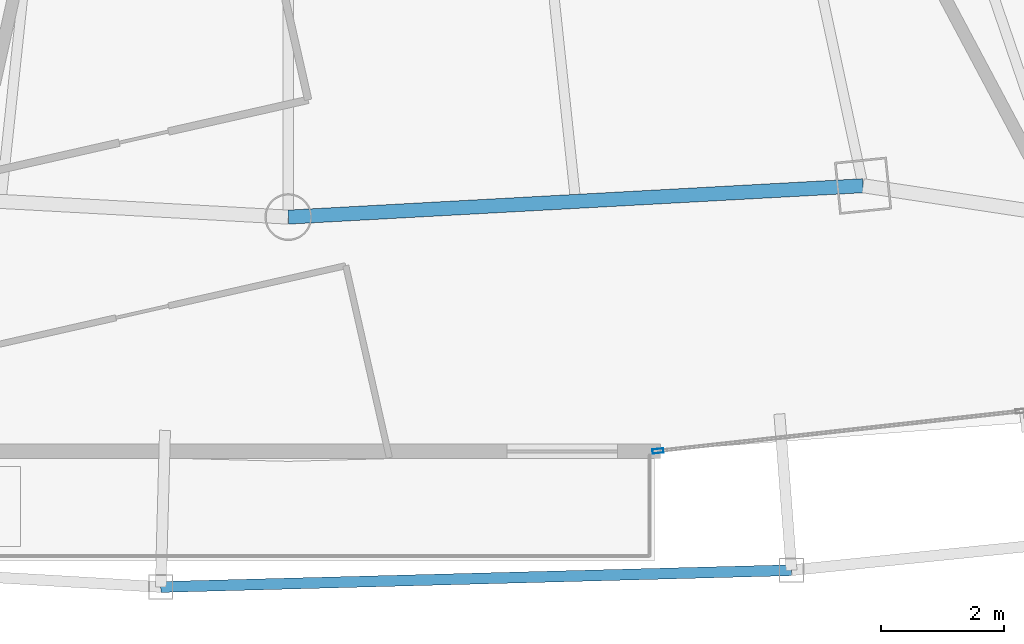
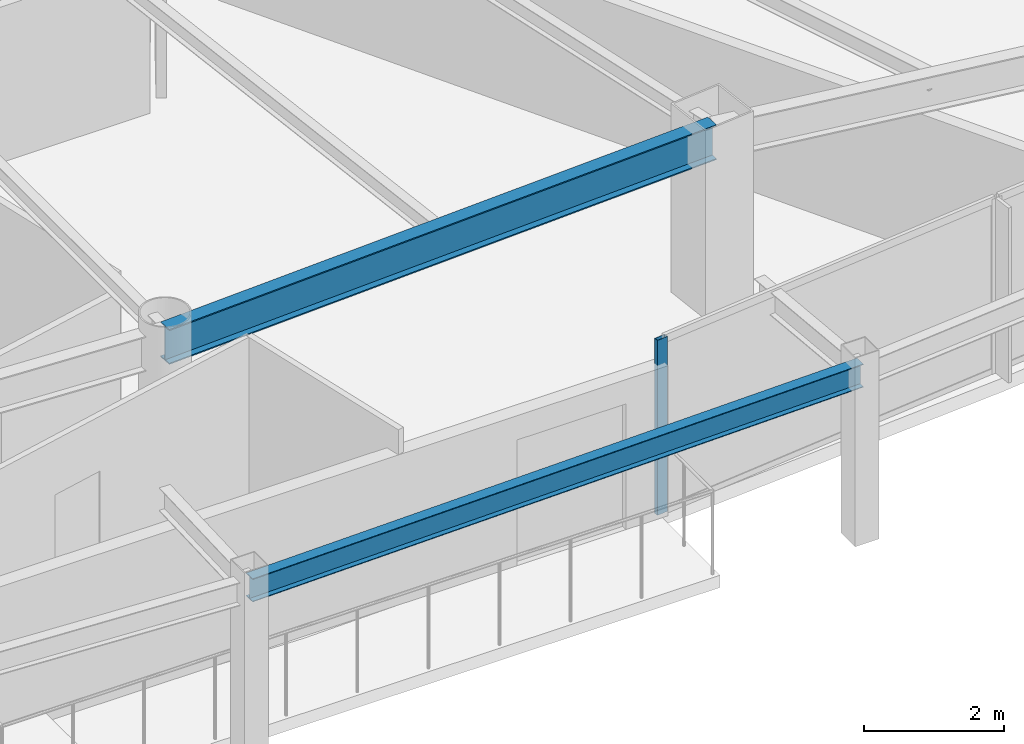
# One storey, part 8 of 33: 2 beams, 1 member, 1 element without a shape of its own.
"""IFC4 building model written with IfcOpenShell, lengths in metres."""

import ifcopenshell
import ifcopenshell.guid

model = None  # the IFC model being written
_history = None  # IfcOwnerHistory: only IFC2X3 demands one
_inside = {}  # id of a spatial element -> (the spatial element, [elements in it])
_under = {}  # id of a project, library or spatial element -> (it, [spatial elements below it])
_declared = {}  # id of a project -> (the project, [libraries it declares])
_typed = {}  # id of a type object -> (the type object, [elements of that type])
_made_of = {}  # id of a material, layer set ... -> (it, [elements and type objects made of it])


def new_model(schema):
    """Start an empty IFC model of exactly this schema.

    Asked for "IFC4X3", IfcOpenShell would pick the latest addendum, in which some entities
    have other attributes; the version numbers below select the first issue.
    IFC2X3 requires an IfcOwnerHistory on every rooted entity: one is made here for all.
    """
    global model, _history
    if schema == "IFC4X3":
        model = ifcopenshell.file(schema_version=(4, 3, 0, 0))
    else:
        model = ifcopenshell.file(schema=schema)
    _inside.clear()
    _under.clear()
    _declared.clear()
    _typed.clear()
    _made_of.clear()
    _history = None
    if model.schema == "IFC2X3":
        org = make("IfcOrganization", Name="unknown")
        user = make(
            "IfcPersonAndOrganization",
            ThePerson=make("IfcPerson", FamilyName="unknown"),
            TheOrganization=org,
        )
        app = make(
            "IfcApplication",
            ApplicationDeveloper=org,
            Version="unknown",
            ApplicationFullName="unknown",
            ApplicationIdentifier="unknown",
        )
        _history = make(
            "IfcOwnerHistory",
            OwningUser=user,
            OwningApplication=app,
            ChangeAction="ADDED",
            CreationDate=0,
        )
    return model


def make(cls, **values):
    """One entity of the class cls with the attributes given. An attribute that is None is left unset."""
    return model.create_entity(
        cls, **{name: value for name, value in values.items() if value is not None}
    )


def rooted(cls, **values):
    """An entity with a GlobalId (a new one), such as an element, a storey or a relation."""
    return make(cls, GlobalId=ifcopenshell.guid.new(), OwnerHistory=_history, **values)


def si_unit(unit_type, name, prefix=None):
    """IfcSIUnit, for example si_unit("LENGTHUNIT", "METRE", prefix="MILLI")."""
    return make("IfcSIUnit", UnitType=unit_type, Prefix=prefix, Name=name)


def assignment(units):
    """IfcUnitAssignment: the units of a project."""
    return None if units is None else make("IfcUnitAssignment", Units=units)


def point(xyz):
    """IfcCartesianPoint."""
    return None if xyz is None else make("IfcCartesianPoint", Coordinates=xyz)


def direction(xyz):
    """IfcDirection."""
    return None if xyz is None else make("IfcDirection", DirectionRatios=xyz)


def frame(location, z_axis=None, x_axis=None):
    """IfcAxis2Placement3D, a coordinate frame: its origin and axes. An axis left out is left unset."""
    return make(
        "IfcAxis2Placement3D",
        Location=point(location),
        Axis=direction(z_axis),
        RefDirection=direction(x_axis),
    )


def frame_2d(location, x_axis=None):
    """IfcAxis2Placement2D, a coordinate frame in the plane: its origin and x axis."""
    return make(
        "IfcAxis2Placement2D", Location=point(location), RefDirection=direction(x_axis)
    )


def origin():
    """The frame at (0, 0, 0) with its axes left unset."""
    return frame((0.0, 0.0, 0.0))


def origin_2d():
    """The frame at (0, 0) in the plane with its x axis left unset."""
    return frame_2d((0.0, 0.0))


def place(relative_to, where):
    """IfcLocalPlacement: puts the frame where relative to a parent placement (None: the world)."""
    return make(
        "IfcLocalPlacement", PlacementRelTo=relative_to, RelativePlacement=where
    )


def context(
    kind, dimensions, precision=None, world=None, true_north=None, identifier=None
):
    """IfcGeometricRepresentationContext, for example the 3D "Model" context."""
    return make(
        "IfcGeometricRepresentationContext",
        ContextIdentifier=identifier,
        ContextType=kind,
        CoordinateSpaceDimension=dimensions,
        Precision=precision,
        WorldCoordinateSystem=world,
        TrueNorth=true_north,
    )


def subcontext(parent, identifier, kind, view, scale=None):
    """IfcGeometricRepresentationSubContext, for example "Body" below "Model"."""
    return make(
        "IfcGeometricRepresentationSubContext",
        ContextIdentifier=identifier,
        ContextType=kind,
        ParentContext=parent,
        TargetScale=scale,
        TargetView=view,
    )


def project(units=None, contexts=None):
    """IfcProject with its units and contexts."""
    return rooted(
        "IfcProject",
        Name="project",
        RepresentationContexts=contexts,
        UnitsInContext=assignment(units),
    )


def spatial(cls, under=None, at=None, **own):
    """A site, building, storey or space (cls), placed at a placement, below another one or the project."""
    s = rooted(cls, ObjectPlacement=at, **own)
    if under is not None:
        _under.setdefault(under.id(), (under, []))[1].append(s)
    return s


def profile(cls, at=None, kind="AREA", **sizes):
    """A parametric profile (cls). Its sizes go by their IFC names, for example OverallWidth=200.0."""
    return make(cls, ProfileType=kind, Position=at, **sizes)


def hollow_rectangle(**sizes):
    """IfcRectangleHollowProfileDef."""
    return profile("IfcRectangleHollowProfileDef", **sizes)


def i_section(**sizes):
    """IfcIShapeProfileDef."""
    return profile("IfcIShapeProfileDef", **sizes)


def extrude(swept, where, along, depth):
    """IfcExtrudedAreaSolid: the profile swept, set in the frame where, extruded along a direction by depth."""
    return make(
        "IfcExtrudedAreaSolid",
        SweptArea=swept,
        Position=where,
        ExtrudedDirection=direction(along),
        Depth=depth,
    )


def shape(context_of_items, identifier, shape_type, items):
    """IfcShapeRepresentation: the items that make up one representation, for example the "Body"."""
    return make(
        "IfcShapeRepresentation",
        ContextOfItems=context_of_items,
        RepresentationIdentifier=identifier,
        RepresentationType=shape_type,
        Items=items,
    )


def material(Name=None, Category=None):
    """IfcMaterial."""
    return make("IfcMaterial", Name=Name, Category=Category)


def layer(
    of_material, thickness, ventilated=None, Name=None, Category=None, Priority=None
):
    """IfcMaterialLayer: one layer of a wall or slab, of a material (None: an air gap)."""
    return make(
        "IfcMaterialLayer",
        Material=of_material,
        LayerThickness=thickness,
        IsVentilated=ventilated,
        Name=Name,
        Category=Category,
        Priority=Priority,
    )


def layer_set(layers, Name=None):
    """IfcMaterialLayerSet."""
    return make("IfcMaterialLayerSet", MaterialLayers=layers, LayerSetName=Name)


def material_profile(
    of_material, cross_section, Name=None, Category=None, Priority=None
):
    """IfcMaterialProfile: a cross section and its material."""
    return make(
        "IfcMaterialProfile",
        Name=Name,
        Material=of_material,
        Profile=cross_section,
        Priority=Priority,
        Category=Category,
    )


def profile_set(profiles, Name=None, composite=None):
    """IfcMaterialProfileSet."""
    return make(
        "IfcMaterialProfileSet",
        Name=Name,
        MaterialProfiles=profiles,
        CompositeProfile=composite,
    )


def made_of(thing, what):
    """Note that an element or type object is made of a material, layer set ...; save() writes the relation."""
    if what is not None:
        _made_of.setdefault(what.id(), (what, []))[1].append(thing)
    return thing


def type_object(cls, material=None, **own):
    """A type object (cls), such as IfcWallType, which elements share."""
    return made_of(rooted(cls, **own), material)


def element(
    cls,
    number,
    at=None,
    inside=None,
    cuts=None,
    type_object=None,
    material=None,
    context=None,
    identifier="Body",
    shape_type=None,
    held_by="IfcProductDefinitionShape",
    body=None,
    shapes=None,
    **own,
):
    """One element of the class cls, such as IfcWall. Its Tag is "e" and its number.

    at: its placement. inside: the storey or other place that contains it. cuts: it is an
    opening in that element (IfcRelVoidsElement). A single representation is given by context,
    identifier, shape_type and body (its items); several are given by shapes. held_by: the class
    of the entity that holds the representations. save() writes the other relations.
    """
    e = rooted(cls, Tag="e%d" % number, ObjectPlacement=at, **own)
    if body is not None:
        shapes = [shape(context, identifier, shape_type, body)]
    if shapes is not None:
        e.Representation = make(held_by, Representations=shapes)
    if inside is not None:
        _inside.setdefault(inside.id(), (inside, []))[1].append(e)
    if cuts is not None:
        rooted(
            "IfcRelVoidsElement", RelatingBuildingElement=cuts, RelatedOpeningElement=e
        )
    if type_object is not None:
        _typed.setdefault(type_object.id(), (type_object, []))[1].append(e)
    return made_of(e, material)


def aggregate(whole, parts):
    """IfcRelAggregates: a whole, such as a stair, and the parts it consists of."""
    return rooted("IfcRelAggregates", RelatingObject=whole, RelatedObjects=parts)


def save(model, path):
    """Write the relations noted so far, then the file.

    IfcRelAggregates (storeys below a building ...), IfcRelContainedInSpatialStructure (elements
    in a storey), IfcRelDefinesByType, IfcRelAssociatesMaterial and IfcRelDeclares: one each for
    every whole, place, type object, material and project.
    """
    for whole, parts in _under.values():
        aggregate(whole, parts)
    for where, things in _inside.values():
        rooted(
            "IfcRelContainedInSpatialStructure",
            RelatedElements=things,
            RelatingStructure=where,
        )
    for kind, things in _typed.values():
        rooted("IfcRelDefinesByType", RelatedObjects=things, RelatingType=kind)
    for what, things in _made_of.values():
        rooted("IfcRelAssociatesMaterial", RelatedObjects=things, RelatingMaterial=what)
    for by, libraries in _declared.values():
        rooted("IfcRelDeclares", RelatingContext=by, RelatedDefinitions=libraries)
    model.write(path)


model = new_model("IFC4")

# Units and contexts
model_context = context("Model", 3, precision=1e-05, world=origin(), true_north=direction((0.0, 1.0)))
body_context = subcontext(model_context, "Body", "Model", "MODEL_VIEW")
ifc_project = project(units=[si_unit("LENGTHUNIT", "METRE"), si_unit("AREAUNIT", "SQUARE_METRE"), si_unit("VOLUMEUNIT", "CUBIC_METRE"), si_unit("PLANEANGLEUNIT", "RADIAN"), si_unit("MASSUNIT", "GRAM", prefix="KILO")], contexts=[model_context])

# Site, building, storey
site_placement = place(None, origin())
site = spatial("IfcSite", under=ifc_project, at=site_placement, CompositionType="ELEMENT")
building_placement = place(site_placement, origin())
building = spatial("IfcBuilding", under=site, at=building_placement, Name="Orvanel Arch Residences", CompositionType="ELEMENT")
storey_placement = place(building_placement, frame((0.0, 0.0, 116.60009765625)))
storey = spatial("IfcBuildingStorey", under=building, at=storey_placement, Name="L32", CompositionType="ELEMENT", Elevation=116.60009765625)

# Curtain wall, member
ifc_material_1 = material(Name="Bronze-anodised aluminium AA6063-T6", Category="aluminium")
ifc_layer = layer(ifc_material_1, 0.179931640625)
ifc_layer_set = layer_set([ifc_layer], Name="Bronze-anodised aluminium AA6063-T6")
curtain_wall_type = type_object("IfcCurtainWallType", Name="CW3-MID-SYS", PredefinedType="NOTDEFINED", material=ifc_layer_set)
curtain_wall_placement = place(storey_placement, origin())
curtain_wall = element("IfcCurtainWall", 1, at=curtain_wall_placement, inside=storey, type_object=curtain_wall_type, Name="L32 CW3-MID-SYS Unitised Curtain Wall", PredefinedType="NOTDEFINED")
ifc_material_profile_1 = material_profile(ifc_material_1, hollow_rectangle(XDim=0.070068359375, YDim=0.179931640625, WallThickness=0.00439453125, at=origin_2d()), Name="ALU180x70x4.5")
ifc_profile_set_1 = profile_set([ifc_material_profile_1], Name="Bronze-anodised aluminium AA6063-T6")
member_type = type_object("IfcMemberType", Name="MUL-180x70", PredefinedType="MULLION", material=ifc_profile_set_1)
member_placement = place(storey_placement, frame((39.013671875, 3.038818359375, 0.0), z_axis=(0.0, 0.0, 1.0), x_axis=(-0.109397745116, 0.99399805501, 0.0)))
member = element("IfcMember", 2, at=member_placement, type_object=member_type, Name="CW-S3 mullion 1", PredefinedType="MULLION", context=body_context, shape_type="SweptSolid", body=[
    extrude(hollow_rectangle(XDim=0.070068359375, YDim=0.179931640625, WallThickness=0.00439453125, at=origin_2d()), origin(), (0.0, 0.0, 1.0), 3.059814453125),
])
aggregate(curtain_wall, [member])

# Beams
ifc_material_2 = material(Name="Structural steel AS/NZS 3679.1 Grade 300 (300 MPa)", Category="steel")
ifc_material_profile_2 = material_profile(ifc_material_2, i_section(OverallWidth=0.177978515625, OverallDepth=0.406005859375, WebThickness=0.0078125, FlangeThickness=0.0126953125, at=origin_2d()), Name="410UB59.7")
ifc_profile_set_2 = profile_set([ifc_material_profile_2], Name="Structural steel AS/NZS 3679.1 Grade 300 (300 MPa)")
beam_type_1 = type_object("IfcBeamType", Name="OB-410UB-EXT", PredefinedType="SPANDREL", material=ifc_profile_set_2)
beam_1_placement = place(storey_placement, frame((30.924072265625, 0.825927734375, 2.85693359375), z_axis=(0.999645891771, 0.026609980562, 0.0), x_axis=(-0.026609980562, 0.999645891771, 0.0)))
element("IfcBeam", 3, at=beam_1_placement, inside=storey, type_object=beam_type_1, Name="L32 Outer Perimeter Floor Ring Beam 06", PredefinedType="SPANDREL", context=body_context, shape_type="SweptSolid", body=[
    extrude(i_section(OverallWidth=0.177978515625, OverallDepth=0.406005859375, WebThickness=0.0078125, FlangeThickness=0.0126953125, at=origin_2d()), origin(), (0.0, 0.0, 1.0), 10.2666015625),
])
ifc_material_profile_3 = material_profile(ifc_material_2, i_section(OverallWidth=0.22900390625, OverallDepth=0.612060546875, WebThickness=0.011962890625, FlangeThickness=0.01953125, at=origin_2d()), Name="610UB125")
ifc_profile_set_3 = profile_set([ifc_material_profile_3], Name="Structural steel AS/NZS 3679.1 Grade 300 (300 MPa)")
beam_type_2 = type_object("IfcBeamType", Name="SP-610UB", PredefinedType="SPANDREL", material=ifc_profile_set_3)
beam_2_placement = place(storey_placement, frame((33.0, 6.843994140625, 2.75390625), z_axis=(0.998510315598, 0.054563262768, 0.0), x_axis=(-0.054563262768, 0.998510315598, 0.0)))
element("IfcBeam", 4, at=beam_2_placement, inside=storey, type_object=beam_type_2, Name="L32 Perimeter Spandrel Beam 06", PredefinedType="SPANDREL", context=body_context, shape_type="SweptSolid", body=[
    extrude(i_section(OverallWidth=0.22900390625, OverallDepth=0.612060546875, WebThickness=0.011962890625, FlangeThickness=0.01953125, at=origin_2d()), origin(), (0.0, 0.0, 1.0), 9.364990234375),
])

save(model, "model.ifc")
